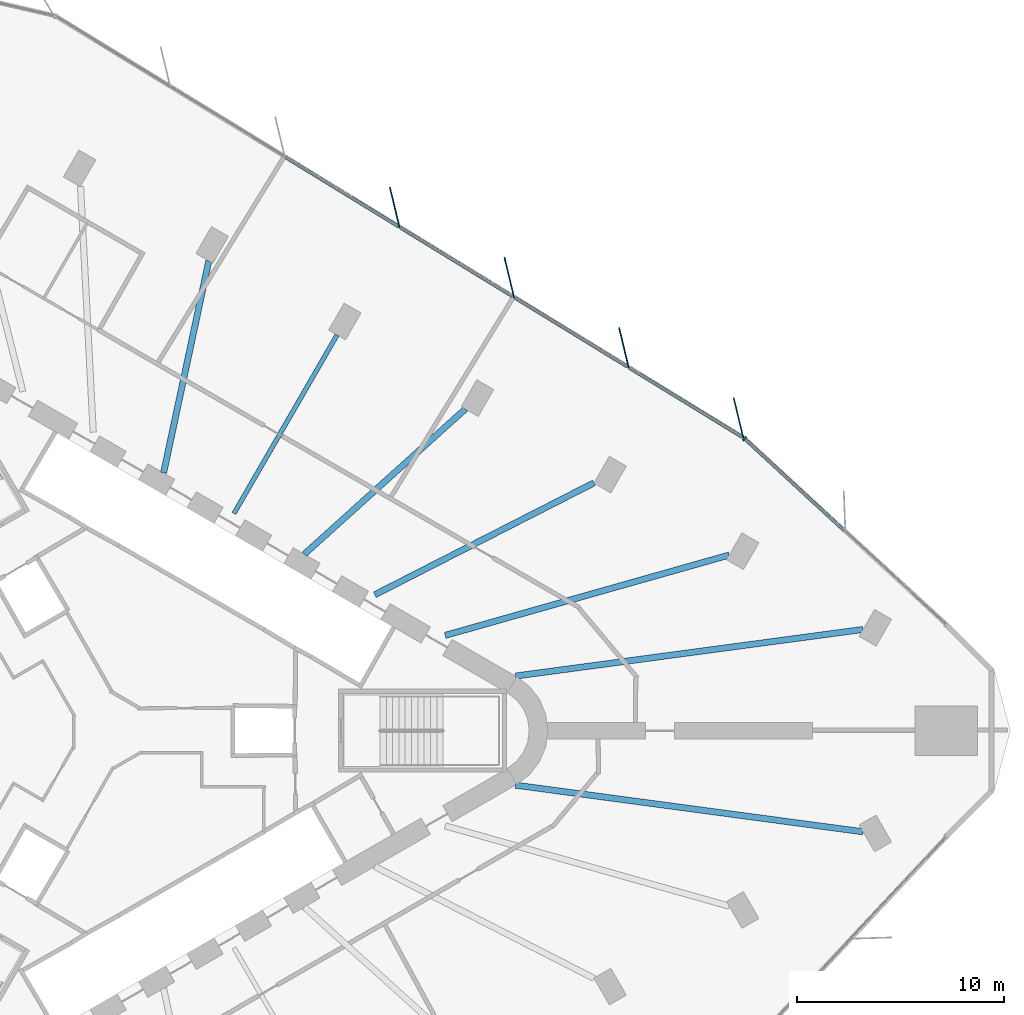
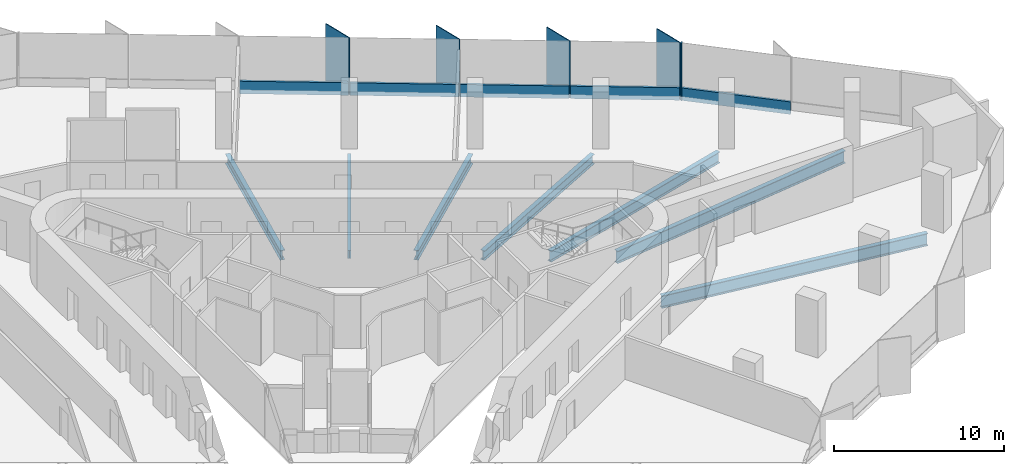
# One storey, part 5 of 14: 10 members, 7 beams, 2 elements without a shape of their own.
"""IFC4 building model written with IfcOpenShell, lengths in metres."""

from ifc_helpers import new_model, si_unit, direction, frame, origin, origin_2d, place, context, subcontext, project, spatial, rectangle, i_section, extrude, material, material_profile, profile_set, type_object, element, aggregate, save


model = new_model("IFC4")

# Units and contexts
model_context = context("Model", 3, precision=1e-05, world=origin(), true_north=direction((0.0, 1.0)))
body_context = subcontext(model_context, "Body", "Model", "MODEL_VIEW")
ifc_project = project(units=[si_unit("LENGTHUNIT", "METRE"), si_unit("AREAUNIT", "SQUARE_METRE"), si_unit("VOLUMEUNIT", "CUBIC_METRE"), si_unit("PLANEANGLEUNIT", "RADIAN"), si_unit("MASSUNIT", "GRAM", prefix="KILO")], contexts=[model_context])

# Site, building, storey
site_placement = place(None, origin())
site = spatial("IfcSite", under=ifc_project, at=site_placement, CompositionType="ELEMENT")
building_placement = place(site_placement, origin())
building = spatial("IfcBuilding", under=site, at=building_placement, Name="Tanit Gate Tower", CompositionType="ELEMENT")
storey_placement = place(building_placement, frame((0.0, 0.0, 123.39990234375)))
storey = spatial("IfcBuildingStorey", under=building, at=storey_placement, Name="L26", CompositionType="ELEMENT", Elevation=123.39990234375)

# Curtain wall, members
ifc_material_1 = material(Name="Aluminium bronze anodised and glass", Category="aluminium")
curtain_wall_type = type_object("IfcCurtainWallType", Name="Curtain wall typical low", PredefinedType="NOTDEFINED", material=ifc_material_1)
curtain_wall_1_placement = place(storey_placement, origin())
curtain_wall_1 = element("IfcCurtainWall", 1, at=curtain_wall_1_placement, inside=storey, type_object=curtain_wall_type, Name="Curtain wall L26 NE2", PredefinedType="NOTDEFINED")
ifc_material_2 = material(Name="Aluminium bronze anodised", Category="aluminium")
ifc_material_profile_1 = material_profile(ifc_material_2, rectangle(XDim=2.0, YDim=0.055908203125, at=origin_2d()), Name="56x2000 bronze fin mullion")
ifc_profile_set_1 = profile_set([ifc_material_profile_1], Name="Aluminium bronze anodised")
member_type_1 = type_object("IfcMemberType", Name="FIN MULLION 56x2000 bronze", PredefinedType="MULLION", material=ifc_profile_set_1)
member_1_placement = place(storey_placement, frame((30.402099609375, 15.08984375, -0.2998046875), z_axis=(0.0, 0.0, 1.0), x_axis=(0.23355666729, -0.97234319207, 0.0)))
member_1 = element("IfcMember", 2, at=member_1_placement, type_object=member_type_1, Name="Fin mullion L26 NE2.1", PredefinedType="MULLION", context=body_context, shape_type="SweptSolid", body=[
    extrude(rectangle(XDim=2.0, YDim=0.055908203125, at=origin_2d()), origin(), (0.0, 0.0, 1.0), 4.099853515625),
])
member_2_placement = place(storey_placement, frame((24.8701171875, 18.47900390625, -0.2998046875), z_axis=(0.0, 0.0, 1.0), x_axis=(0.23355666729, -0.97234319207, 0.0)))
member_2 = element("IfcMember", 3, at=member_2_placement, type_object=member_type_1, Name="Fin mullion L26 NE2.2", PredefinedType="MULLION", context=body_context, shape_type="SweptSolid", body=[
    extrude(rectangle(XDim=2.0, YDim=0.055908203125, at=origin_2d()), origin(), (0.0, 0.0, 1.0), 4.099853515625),
])
member_3_placement = place(storey_placement, frame((19.338134765625, 21.8681640625, -0.2998046875), z_axis=(0.0, 0.0, 1.0), x_axis=(0.23355666729, -0.97234319207, 0.0)))
member_3 = element("IfcMember", 4, at=member_3_placement, type_object=member_type_1, Name="Fin mullion L26 NE2.3", PredefinedType="MULLION", context=body_context, shape_type="SweptSolid", body=[
    extrude(rectangle(XDim=2.0, YDim=0.055908203125, at=origin_2d()), origin(), (0.0, 0.0, 1.0), 4.099853515625),
])
member_4_placement = place(storey_placement, frame((13.80615234375, 25.25732421875, -0.2998046875), z_axis=(0.0, 0.0, 1.0), x_axis=(0.23355666729, -0.97234319207, 0.0)))
member_4 = element("IfcMember", 5, at=member_4_placement, type_object=member_type_1, Name="Fin mullion L26 NE2.4", PredefinedType="MULLION", context=body_context, shape_type="SweptSolid", body=[
    extrude(rectangle(XDim=2.0, YDim=0.055908203125, at=origin_2d()), origin(), (0.0, 0.0, 1.0), 4.099853515625),
])

# Curtain wall, member
curtain_wall_2_placement = place(storey_placement, origin())
curtain_wall_2 = element("IfcCurtainWall", 6, at=curtain_wall_2_placement, inside=storey, type_object=curtain_wall_type, Name="Curtain wall L26 NE1", PredefinedType="NOTDEFINED")
ifc_material_3 = material(Name="Aluminium bronze anodised", Category="aluminium")
ifc_material_profile_2 = material_profile(ifc_material_3, rectangle(XDim=0.239990234375, YDim=0.080078125, at=origin_2d()), Name="80x240 bronze mullion")
ifc_profile_set_2 = profile_set([ifc_material_profile_2], Name="Aluminium bronze anodised")
member_type_2 = type_object("IfcMemberType", Name="Mullion 80x240 typical low", PredefinedType="MULLION", material=ifc_profile_set_2)
member_5_placement = place(storey_placement, frame((30.69384765625, 14.091552734375, -0.2998046875), z_axis=(0.0, 0.0, 1.0), x_axis=(-0.678017021535, -0.735046201615, 0.0)))
member_5 = element("IfcMember", 7, at=member_5_placement, type_object=member_type_2, Name="Mullion L26 NE1.3", PredefinedType="MULLION", context=body_context, shape_type="SweptSolid", body=[
    extrude(rectangle(XDim=0.239990234375, YDim=0.080078125, at=origin_2d()), origin(), (0.0, 0.0, 1.0), 4.099853515625),
])

# Beams
ifc_material_4 = material(Name="Steel S355", Category="steel")
ifc_material_profile_3 = material_profile(ifc_material_4, i_section(OverallWidth=0.300048828125, OverallDepth=0.68994140625, WebThickness=0.014404296875, FlangeThickness=0.027099609375, FilletRadius=0.027099609375, at=origin_2d()), Name="HEA 700")
ifc_profile_set_3 = profile_set([ifc_material_profile_3], Name="Steel S355")
beam_type_1 = type_object("IfcBeamType", Name="RADIAL GIRDER HEA 700 S355", PredefinedType="BEAM", material=ifc_profile_set_3)
beam_1_placement = place(storey_placement, frame((23.4248046875, 11.95703125, -0.64501953125), z_axis=(-0.890679829273, -0.454631105101, 0.0), x_axis=(0.454631105101, -0.890679829273, 0.0)))
element("IfcBeam", 8, at=beam_1_placement, inside=storey, type_object=beam_type_1, Name="RADIAL GIRDER", PredefinedType="BEAM", context=body_context, shape_type="SweptSolid", body=[
    extrude(i_section(OverallWidth=0.300048828125, OverallDepth=0.68994140625, WebThickness=0.014404296875, FlangeThickness=0.027099609375, FilletRadius=0.027099609375, at=origin_2d()), origin(), (0.0, 0.0, 1.0), 11.876953125),
])
beam_2_placement = place(storey_placement, frame((17.2158203125, 15.52197265625, -0.64501953125), z_axis=(-0.742697199344, -0.669627411391, 0.0), x_axis=(0.669627411391, -0.742697199344, 0.0)))
element("IfcBeam", 9, at=beam_2_placement, inside=storey, type_object=beam_type_1, Name="RADIAL GIRDER", PredefinedType="BEAM", context=body_context, shape_type="SweptSolid", body=[
    extrude(i_section(OverallWidth=0.300048828125, OverallDepth=0.68994140625, WebThickness=0.014404296875, FlangeThickness=0.027099609375, FilletRadius=0.027099609375, at=origin_2d()), origin(), (0.0, 0.0, 1.0), 10.4580078125),
])
beam_3_placement = place(storey_placement, frame((4.83447265625, 22.670166015625, -0.64501953125), z_axis=(-0.208567613374, -0.978007950199, 0.0), x_axis=(0.978007950199, -0.208567613374, 0.0)))
element("IfcBeam", 10, at=beam_3_placement, inside=storey, type_object=beam_type_1, Name="RADIAL GIRDER", PredefinedType="BEAM", context=body_context, shape_type="SweptSolid", body=[
    extrude(i_section(OverallWidth=0.300048828125, OverallDepth=0.68994140625, WebThickness=0.014404296875, FlangeThickness=0.027099609375, FilletRadius=0.027099609375, at=origin_2d()), origin(), (0.0, 0.0, 1.0), 10.457763671875),
])
ifc_material_5 = material(Name="Steel S355", Category="steel")
ifc_material_profile_4 = material_profile(ifc_material_5, i_section(OverallWidth=0.300048828125, OverallDepth=0.7900390625, WebThickness=0.014892578125, FlangeThickness=0.028076171875, FilletRadius=0.030029296875, at=origin_2d()), Name="HEA 800")
ifc_profile_set_4 = profile_set([ifc_material_profile_4], Name="Steel S355")
beam_type_2 = type_object("IfcBeamType", Name="RADIAL GIRDER HEA 800 S355", PredefinedType="BEAM", material=ifc_profile_set_4)
beam_4_placement = place(storey_placement, frame((29.947998046875, 8.472900390625, -0.69482421875), z_axis=(-0.962230365489, -0.272236521669, 0.0), x_axis=(0.272236521669, -0.962230365489, 0.0)))
element("IfcBeam", 11, at=beam_4_placement, inside=storey, type_object=beam_type_2, Name="RADIAL GIRDER", PredefinedType="BEAM", context=body_context, shape_type="SweptSolid", body=[
    extrude(i_section(OverallWidth=0.300048828125, OverallDepth=0.7900390625, WebThickness=0.014892578125, FlangeThickness=0.028076171875, FilletRadius=0.030029296875, at=origin_2d()), origin(), (0.0, 0.0, 1.0), 14.241943359375),
])
ifc_material_6 = material(Name="Steel S355", Category="steel")
ifc_material_profile_5 = material_profile(ifc_material_6, i_section(OverallWidth=0.300048828125, OverallDepth=0.889892578125, WebThickness=0.01611328125, FlangeThickness=0.030029296875, FilletRadius=0.030029296875, at=origin_2d()), Name="HEA 900")
ifc_profile_set_5 = profile_set([ifc_material_profile_5], Name="Steel S355")
beam_type_3 = type_object("IfcBeamType", Name="RADIAL GIRDER HEA 900 S355", PredefinedType="BEAM", material=ifc_profile_set_5)
for number, where, z_axis, x_axis, name in (
    (12, (36.410400390625, -4.8828125, -0.744873046875), (-0.991127424738, 0.132915115517, 0.0), (-0.132915115517, -0.991127424738, 0.0), "RADIAL GIRDER"),
    (13, (36.410400390625, 4.8828125, -0.744873046875), (-0.991127424738, -0.132915115517, 0.0), (0.132915115517, -0.991127424738, 0.0), "RADIAL GIRDER"),
):
    element("IfcBeam", number, at=place(storey_placement, frame(where, z_axis=z_axis, x_axis=x_axis)), inside=storey, type_object=beam_type_3, Name=name, PredefinedType="BEAM", context=body_context, shape_type="SweptSolid", body=[
        extrude(i_section(OverallWidth=0.300048828125, OverallDepth=0.889892578125, WebThickness=0.01611328125, FlangeThickness=0.030029296875, FilletRadius=0.030029296875, at=origin_2d()), origin(), (0.0, 0.0, 1.0), 16.9189453125),
    ])
ifc_material_7 = material(Name="Steel S355", Category="steel")
ifc_material_profile_6 = material_profile(ifc_material_7, i_section(OverallWidth=0.219970703125, OverallDepth=0.60009765625, WebThickness=0.011962890625, FlangeThickness=0.01904296875, FilletRadius=0.02392578125, at=origin_2d()), Name="IPE 600")
ifc_profile_set_6 = profile_set([ifc_material_profile_6], Name="Steel S355")
beam_type_4 = type_object("IfcBeamType", Name="RADIAL GIRDER IPE 600 S355", PredefinedType="BEAM", material=ifc_profile_set_6)
beam_5_placement = place(storey_placement, frame((11.025146484375, 19.095947265625, -0.599853515625), z_axis=(-0.500008534912, -0.866020476095, 0.0), x_axis=(0.866020476095, -0.500008534912, 0.0)))
element("IfcBeam", 14, at=beam_5_placement, inside=storey, type_object=beam_type_4, Name="RADIAL GIRDER", PredefinedType="BEAM", context=body_context, shape_type="SweptSolid", body=[
    extrude(i_section(OverallWidth=0.219970703125, OverallDepth=0.60009765625, WebThickness=0.011962890625, FlangeThickness=0.01904296875, FilletRadius=0.02392578125, at=origin_2d()), origin(), (0.0, 0.0, 1.0), 9.947998046875),
])

# Member
ifc_material_8 = material(Name="Aluminium bronze anodised", Category="aluminium")
ifc_material_profile_7 = material_profile(ifc_material_8, rectangle(XDim=0.159912109375, YDim=0.89990234375, at=origin_2d()), Name="160x900 bronze transom")
ifc_profile_set_7 = profile_set([ifc_material_profile_7], Name="Aluminium bronze anodised")
member_type_3 = type_object("IfcMemberType", Name="Transom 160x900 typical low", PredefinedType="USERDEFINED", material=ifc_profile_set_7)
member_6_placement = place(storey_placement, frame((35.5302734375, 9.63037109375, 0.150146484375), z_axis=(-0.735035267358, 0.678028875299, 0.0), x_axis=(-0.678028875299, -0.735035267358, 0.0)))
member_6 = element("IfcMember", 15, at=member_6_placement, type_object=member_type_3, Name="Transom L26 NE1.2", ObjectType="TRANSOM", PredefinedType="USERDEFINED", context=body_context, shape_type="SweptSolid", body=[
    extrude(rectangle(XDim=0.159912109375, YDim=0.89990234375, at=origin_2d()), origin(), (0.0, 0.0, 1.0), 6.53955078125),
])

aggregate(curtain_wall_2, [member_5, member_6])

member_7_placement = place(storey_placement, frame((30.59619140625, 14.160400390625, 0.150146484375), z_axis=(-0.852688858165, 0.522419095326, 0.0), x_axis=(-0.522419095326, -0.852688858165, 0.0)))
member_7 = element("IfcMember", 16, at=member_7_placement, type_object=member_type_3, Name="Transom L26 NE2.1", ObjectType="TRANSOM", PredefinedType="USERDEFINED", context=body_context, shape_type="SweptSolid", body=[
    extrude(rectangle(XDim=0.159912109375, YDim=0.89990234375, at=origin_2d()), origin(), (0.0, 0.0, 1.0), 6.407470703125),
])

member_8_placement = place(storey_placement, frame((25.064208984375, 17.549560546875, 0.150146484375), z_axis=(-0.852688858165, 0.522419095326, 0.0), x_axis=(-0.522419095326, -0.852688858165, 0.0)))
member_8 = element("IfcMember", 17, at=member_8_placement, type_object=member_type_3, Name="Transom L26 NE2.2", ObjectType="TRANSOM", PredefinedType="USERDEFINED", context=body_context, shape_type="SweptSolid", body=[
    extrude(rectangle(XDim=0.159912109375, YDim=0.89990234375, at=origin_2d()), origin(), (0.0, 0.0, 1.0), 6.407470703125),
])

member_9_placement = place(storey_placement, frame((19.5322265625, 20.938720703125, 0.150146484375), z_axis=(-0.852688858165, 0.522419095326, 0.0), x_axis=(-0.522419095326, -0.852688858165, 0.0)))
member_9 = element("IfcMember", 18, at=member_9_placement, type_object=member_type_3, Name="Transom L26 NE2.3", ObjectType="TRANSOM", PredefinedType="USERDEFINED", context=body_context, shape_type="SweptSolid", body=[
    extrude(rectangle(XDim=0.159912109375, YDim=0.89990234375, at=origin_2d()), origin(), (0.0, 0.0, 1.0), 6.407470703125),
])

member_10_placement = place(storey_placement, frame((14.000244140625, 24.327880859375, 0.150146484375), z_axis=(-0.852688858165, 0.522419095326, 0.0), x_axis=(-0.522419095326, -0.852688858165, 0.0)))
member_10 = element("IfcMember", 19, at=member_10_placement, type_object=member_type_3, Name="Transom L26 NE2.4", ObjectType="TRANSOM", PredefinedType="USERDEFINED", context=body_context, shape_type="SweptSolid", body=[
    extrude(rectangle(XDim=0.159912109375, YDim=0.89990234375, at=origin_2d()), origin(), (0.0, 0.0, 1.0), 6.407470703125),
])

aggregate(curtain_wall_1, [member_1, member_2, member_3, member_4, member_7, member_8, member_9, member_10])

save(model, "model.ifc")
